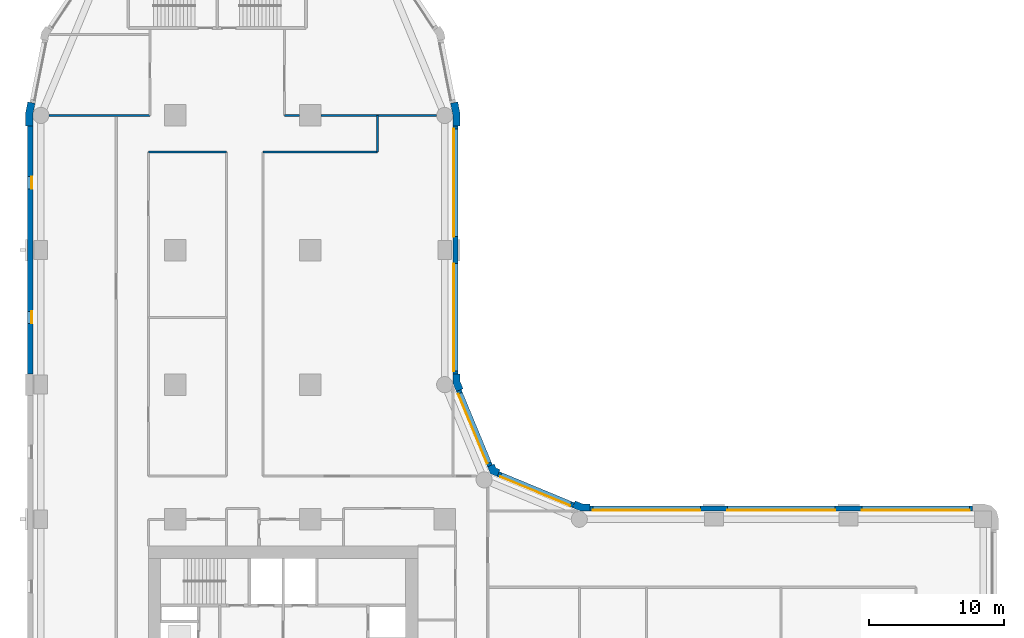
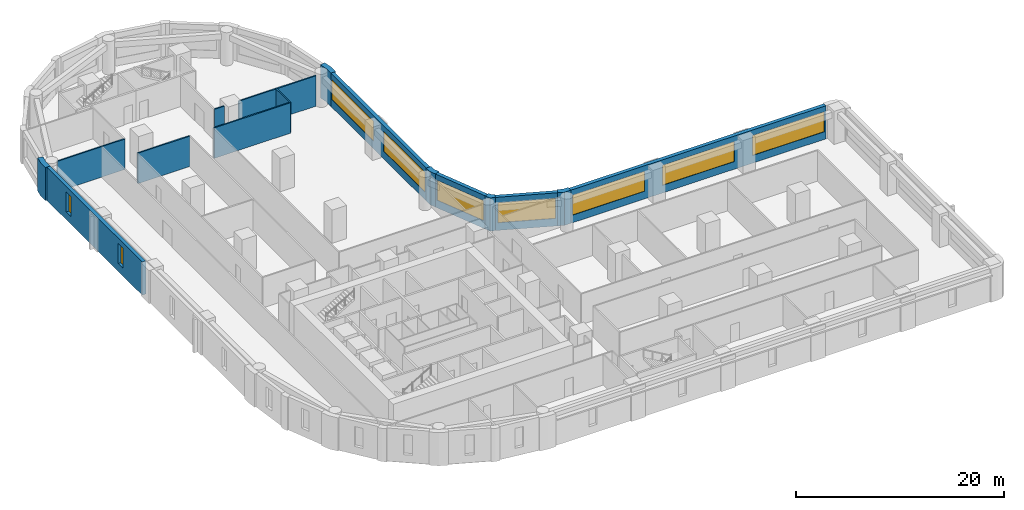
# One storey, part 6 of 11: 16 walls, 9 windows, 9 openings.
"""IFC4 building model written with IfcOpenShell, lengths in metres."""

from ifc_helpers import new_model, si_unit, direction, frame, frame_2d, origin, place, context, subcontext, project, spatial, polyline, rectangle, outline, extrude, material, layer, layer_set, type_object, element, fill, save


model = new_model("IFC4")

# Units and contexts
model_context = context("Model", 3, precision=1e-05, world=origin(), true_north=direction((0.0, 1.0)))
body_context = subcontext(model_context, "Body", "Model", "MODEL_VIEW")
ifc_project = project(units=[si_unit("LENGTHUNIT", "METRE"), si_unit("AREAUNIT", "SQUARE_METRE"), si_unit("VOLUMEUNIT", "CUBIC_METRE"), si_unit("PLANEANGLEUNIT", "RADIAN"), si_unit("MASSUNIT", "GRAM", prefix="KILO")], contexts=[model_context])

# Site, building, storey
site_placement = place(None, origin())
site = spatial("IfcSite", under=ifc_project, at=site_placement, CompositionType="ELEMENT")
building_placement = place(site_placement, origin())
building = spatial("IfcBuilding", under=site, at=building_placement, Name="Qaws Garden Tower", CompositionType="ELEMENT")
storey_placement = place(building_placement, frame((0.0, 0.0, 82.199951171875)))
storey = spatial("IfcBuildingStorey", under=building, at=storey_placement, Name="L20", CompositionType="ELEMENT", Elevation=82.199951171875)

# Wall, openings, windows
ifc_material_1 = material(Name="Buff clay facing brick masonry", Category="masonry")
ifc_layer_1 = layer(ifc_material_1, 0.39990234375)
ifc_layer_set_1 = layer_set([ifc_layer_1], Name="Buff clay facing brick masonry")
wall_type_1 = type_object("IfcWallType", Name="Buff brick infill wall 400", PredefinedType="SOLIDWALL", material=ifc_layer_set_1)
wall_1_placement = place(storey_placement, frame((69.199951171875, 30.800048828125, 0.0), z_axis=(0.0, 0.0, 1.0), x_axis=(-1.0, 0.0, 0.0)))
wall_1 = element("IfcWall", 1, at=wall_1_placement, inside=storey, type_object=wall_type_1, Name="E-L20-infill-08", PredefinedType="SOLIDWALL", context=body_context, shape_type="SweptSolid", body=[
    extrude(rectangle(XDim=28.39990234375, YDim=0.39990234375, at=frame_2d((14.199951171875, 0.0))), origin(), (0.0, 0.0, 1.0), 3.900146484375),
])
opening_1_placement = place(wall_1_placement, frame((0.199951171875, 0.0, 0.89990234375)))
opening_1 = element("IfcOpeningElement", 2, at=opening_1_placement, cuts=wall_1, Name="Opening W01", PredefinedType="OPENING", context=body_context, shape_type="SweptSolid", body=[
    extrude(rectangle(XDim=8.0, YDim=2.35009765625, at=frame_2d((4.0, 1.175048828125))), frame((0.0, 0.2099609375, 0.0), z_axis=(0.0, -1.0, 0.0), x_axis=(1.0, 0.0, 0.0)), (0.0, 0.0, 1.0), 0.419921875),
])
opening_2_placement = place(wall_1_placement, frame((10.199951171875, 0.0, 0.89990234375)))
opening_2 = element("IfcOpeningElement", 3, at=opening_2_placement, cuts=wall_1, Name="Opening W01", PredefinedType="OPENING", context=body_context, shape_type="SweptSolid", body=[
    extrude(rectangle(XDim=8.0, YDim=2.35009765625, at=frame_2d((4.0, 1.175048828125))), frame((0.0, 0.2099609375, 0.0), z_axis=(0.0, -1.0, 0.0), x_axis=(1.0, 0.0, 0.0)), (0.0, 0.0, 1.0), 0.419921875),
])
opening_3_placement = place(wall_1_placement, frame((20.199951171875, 0.0, 0.89990234375)))
opening_3 = element("IfcOpeningElement", 4, at=opening_3_placement, cuts=wall_1, Name="Opening W01", PredefinedType="OPENING", context=body_context, shape_type="SweptSolid", body=[
    extrude(rectangle(XDim=8.0, YDim=2.35009765625, at=frame_2d((4.0, 1.175048828125))), frame((0.0, 0.2099609375, 0.0), z_axis=(0.0, -1.0, 0.0), x_axis=(1.0, 0.0, 0.0)), (0.0, 0.0, 1.0), 0.419921875),
])
ifc_material_2 = material(Name="Aluminium framed window, clear glazing", Category="aluminium")
window_type_1 = type_object("IfcWindowType", Name="Ribbon window 8000 x 2350", PartitioningType="DOUBLE_PANEL_VERTICAL", PredefinedType="WINDOW", material=ifc_material_2)
window_1_placement = place(opening_1_placement, origin())
window_1 = element("IfcWindow", 5, at=window_1_placement, inside=storey, type_object=window_type_1, Name="E-L20-window-08-0", OverallHeight=2.35009765625, OverallWidth=8.0, PartitioningType="SINGLE_PANEL", PredefinedType="WINDOW", context=body_context, shape_type="SweptSolid", body=[
    extrude(rectangle(XDim=8.0, YDim=2.35009765625, at=frame_2d((4.0, 1.175048828125))), frame((0.0, 0.159912109375, 0.0), z_axis=(0.0, -1.0, 0.0), x_axis=(1.0, 0.0, 0.0)), (0.0, 0.0, 1.0), 0.06005859375),
])
fill(opening_1, window_1)
window_2_placement = place(opening_2_placement, origin())
window_2 = element("IfcWindow", 6, at=window_2_placement, inside=storey, type_object=window_type_1, Name="E-L20-window-09-0", OverallHeight=2.35009765625, OverallWidth=8.0, PartitioningType="SINGLE_PANEL", PredefinedType="WINDOW", context=body_context, shape_type="SweptSolid", body=[
    extrude(rectangle(XDim=8.0, YDim=2.35009765625, at=frame_2d((4.0, 1.175048828125))), frame((0.0, 0.159912109375, 0.0), z_axis=(0.0, -1.0, 0.0), x_axis=(1.0, 0.0, 0.0)), (0.0, 0.0, 1.0), 0.06005859375),
])
fill(opening_2, window_2)
window_3_placement = place(opening_3_placement, origin())
window_3 = element("IfcWindow", 7, at=window_3_placement, inside=storey, type_object=window_type_1, Name="E-L20-window-10-0", OverallHeight=2.35009765625, OverallWidth=8.0, PartitioningType="SINGLE_PANEL", PredefinedType="WINDOW", context=body_context, shape_type="SweptSolid", body=[
    extrude(rectangle(XDim=8.0, YDim=2.35009765625, at=frame_2d((4.0, 1.175048828125))), frame((0.0, 0.159912109375, 0.0), z_axis=(0.0, -1.0, 0.0), x_axis=(1.0, 0.0, 0.0)), (0.0, 0.0, 1.0), 0.06005859375),
])
fill(opening_3, window_3)

# Wall, opening, window
wall_2_placement = place(storey_placement, frame((39.56689453125, 31.04541015625, 0.0), z_axis=(0.0, 0.0, 1.0), x_axis=(-0.923891000409, 0.382655745237, 0.0)))
wall_2 = element("IfcWall", 8, at=wall_2_placement, inside=storey, type_object=wall_type_1, Name="E-L20-infill-11", PredefinedType="SOLIDWALL", context=body_context, shape_type="SweptSolid", body=[
    extrude(rectangle(XDim=6.053466796875, YDim=0.39990234375, at=frame_2d((3.02685546875, 0.0))), origin(), (0.0, 0.0, 1.0), 3.900146484375),
])
opening_4_placement = place(wall_2_placement, frame((0.226806640625, 0.0, 0.89990234375)))
opening_4 = element("IfcOpeningElement", 9, at=opening_4_placement, cuts=wall_2, Name="Opening W04", PredefinedType="OPENING", context=body_context, shape_type="SweptSolid", body=[
    extrude(rectangle(XDim=5.60009765625, YDim=2.35009765625, at=frame_2d((2.800048828125, 1.175048828125))), frame((0.0, 0.2099609375, 0.0), z_axis=(0.0, -1.0, 0.0), x_axis=(1.0, 0.0, 0.0)), (0.0, 0.0, 1.0), 0.419921875),
])
ifc_material_3 = material(Name="Aluminium framed window, clear glazing", Category="aluminium")
window_type_2 = type_object("IfcWindowType", Name="Ribbon window 5600 x 2350", PartitioningType="DOUBLE_PANEL_VERTICAL", PredefinedType="WINDOW", material=ifc_material_3)
window_4_placement = place(opening_4_placement, origin())
window_4 = element("IfcWindow", 10, at=window_4_placement, inside=storey, type_object=window_type_2, Name="E-L20-window-11-0", OverallHeight=2.35009765625, OverallWidth=5.60009765625, PartitioningType="SINGLE_PANEL", PredefinedType="WINDOW", context=body_context, shape_type="SweptSolid", body=[
    extrude(rectangle(XDim=5.60009765625, YDim=2.35009765625, at=frame_2d((2.800048828125, 1.175048828125))), frame((0.0, 0.159912109375, 0.0), z_axis=(0.0, -1.0, 0.0), x_axis=(1.0, 0.0, 0.0)), (0.0, 0.0, 1.0), 0.06005859375),
])
fill(opening_4, window_4)

wall_3_placement = place(storey_placement, frame((33.36181640625, 33.97412109375, 0.0), z_axis=(0.0, 0.0, 1.0), x_axis=(-0.382655745237, 0.923891000409, 0.0)))
wall_3 = element("IfcWall", 11, at=wall_3_placement, inside=storey, type_object=wall_type_1, Name="E-L20-infill-12", PredefinedType="SOLIDWALL", context=body_context, shape_type="SweptSolid", body=[
    extrude(rectangle(XDim=6.053466796875, YDim=0.39990234375, at=frame_2d((3.02685546875, 0.0))), origin(), (0.0, 0.0, 1.0), 3.900146484375),
])
opening_5_placement = place(wall_3_placement, frame((0.226806640625, 0.0, 0.89990234375)))
opening_5 = element("IfcOpeningElement", 12, at=opening_5_placement, cuts=wall_3, Name="Opening W04", PredefinedType="OPENING", context=body_context, shape_type="SweptSolid", body=[
    extrude(rectangle(XDim=5.60009765625, YDim=2.35009765625, at=frame_2d((2.800048828125, 1.175048828125))), frame((0.0, 0.2099609375, 0.0), z_axis=(0.0, -1.0, 0.0), x_axis=(1.0, 0.0, 0.0)), (0.0, 0.0, 1.0), 0.419921875),
])
window_5_placement = place(opening_5_placement, origin())
window_5 = element("IfcWindow", 13, at=window_5_placement, inside=storey, type_object=window_type_2, Name="E-L20-window-12-0", OverallHeight=2.35009765625, OverallWidth=5.60009765625, PartitioningType="SINGLE_PANEL", PredefinedType="WINDOW", context=body_context, shape_type="SweptSolid", body=[
    extrude(rectangle(XDim=5.60009765625, YDim=2.35009765625, at=frame_2d((2.800048828125, 1.175048828125))), frame((0.0, 0.159912109375, 0.0), z_axis=(0.0, -1.0, 0.0), x_axis=(1.0, 0.0, 0.0)), (0.0, 0.0, 1.0), 0.06005859375),
])
fill(opening_5, window_5)

# Wall, openings, windows
wall_4_placement = place(storey_placement, frame((30.800048828125, 40.800048828125, 0.0), z_axis=(0.0, 0.0, 1.0), x_axis=(0.0, 1.0, 0.0)))
wall_4 = element("IfcWall", 14, at=wall_4_placement, inside=storey, type_object=wall_type_1, Name="E-L20-infill-13", PredefinedType="SOLIDWALL", context=body_context, shape_type="SweptSolid", body=[
    extrude(rectangle(XDim=18.39990234375, YDim=0.39990234375, at=frame_2d((9.199951171875, 0.0))), origin(), (0.0, 0.0, 1.0), 3.900146484375),
])
opening_6_placement = place(wall_4_placement, frame((0.199951171875, 0.0, 0.89990234375)))
opening_6 = element("IfcOpeningElement", 15, at=opening_6_placement, cuts=wall_4, Name="Opening W01", PredefinedType="OPENING", context=body_context, shape_type="SweptSolid", body=[
    extrude(rectangle(XDim=8.0, YDim=2.35009765625, at=frame_2d((4.0, 1.175048828125))), frame((0.0, 0.2099609375, 0.0), z_axis=(0.0, -1.0, 0.0), x_axis=(1.0, 0.0, 0.0)), (0.0, 0.0, 1.0), 0.419921875),
])
opening_7_placement = place(wall_4_placement, frame((10.199951171875, 0.0, 0.89990234375)))
opening_7 = element("IfcOpeningElement", 16, at=opening_7_placement, cuts=wall_4, Name="Opening W01", PredefinedType="OPENING", context=body_context, shape_type="SweptSolid", body=[
    extrude(rectangle(XDim=8.0, YDim=2.35009765625, at=frame_2d((4.0, 1.175048828125))), frame((0.0, 0.2099609375, 0.0), z_axis=(0.0, -1.0, 0.0), x_axis=(1.0, 0.0, 0.0)), (0.0, 0.0, 1.0), 0.419921875),
])
window_6_placement = place(opening_6_placement, origin())
window_6 = element("IfcWindow", 17, at=window_6_placement, inside=storey, type_object=window_type_1, Name="E-L20-window-13-0", OverallHeight=2.35009765625, OverallWidth=8.0, PartitioningType="SINGLE_PANEL", PredefinedType="WINDOW", context=body_context, shape_type="SweptSolid", body=[
    extrude(rectangle(XDim=8.0, YDim=2.35009765625, at=frame_2d((4.0, 1.175048828125))), frame((0.0, 0.159912109375, 0.0), z_axis=(0.0, -1.0, 0.0), x_axis=(1.0, 0.0, 0.0)), (0.0, 0.0, 1.0), 0.06005859375),
])
fill(opening_6, window_6)
window_7_placement = place(opening_7_placement, origin())
window_7 = element("IfcWindow", 18, at=window_7_placement, inside=storey, type_object=window_type_1, Name="E-L20-window-14-0", OverallHeight=2.35009765625, OverallWidth=8.0, PartitioningType="SINGLE_PANEL", PredefinedType="WINDOW", context=body_context, shape_type="SweptSolid", body=[
    extrude(rectangle(XDim=8.0, YDim=2.35009765625, at=frame_2d((4.0, 1.175048828125))), frame((0.0, 0.159912109375, 0.0), z_axis=(0.0, -1.0, 0.0), x_axis=(1.0, 0.0, 0.0)), (0.0, 0.0, 1.0), 0.06005859375),
])
fill(opening_7, window_7)

wall_5_placement = place(storey_placement, frame((-0.800048828125, 59.199951171875, 0.0), z_axis=(0.0, 0.0, 1.0), x_axis=(0.0, -1.0, 0.0)))
wall_5 = element("IfcWall", 19, at=wall_5_placement, inside=storey, type_object=wall_type_1, Name="E-L20-infill-23", PredefinedType="SOLIDWALL", context=body_context, shape_type="SweptSolid", body=[
    extrude(rectangle(XDim=18.39990234375, YDim=0.39990234375, at=frame_2d((9.199951171875, 0.0))), origin(), (0.0, 0.0, 1.0), 3.900146484375),
])
opening_8_placement = place(wall_5_placement, frame((3.75, 0.0, 0.89990234375)))
opening_8 = element("IfcOpeningElement", 20, at=opening_8_placement, cuts=wall_5, Name="Opening W09", PredefinedType="OPENING", context=body_context, shape_type="SweptSolid", body=[
    extrude(rectangle(XDim=0.89990234375, YDim=2.35009765625, at=frame_2d((0.449951171875, 1.175048828125))), frame((0.0, 0.2099609375, 0.0), z_axis=(0.0, -1.0, 0.0), x_axis=(1.0, 0.0, 0.0)), (0.0, 0.0, 1.0), 0.419921875),
])
opening_9_placement = place(wall_5_placement, frame((13.75, 0.0, 0.89990234375)))
opening_9 = element("IfcOpeningElement", 21, at=opening_9_placement, cuts=wall_5, Name="Opening W09", PredefinedType="OPENING", context=body_context, shape_type="SweptSolid", body=[
    extrude(rectangle(XDim=0.89990234375, YDim=2.35009765625, at=frame_2d((0.449951171875, 1.175048828125))), frame((0.0, 0.2099609375, 0.0), z_axis=(0.0, -1.0, 0.0), x_axis=(1.0, 0.0, 0.0)), (0.0, 0.0, 1.0), 0.419921875),
])
ifc_material_4 = material(Name="Aluminium framed window, clear glazing", Category="aluminium")
window_type_3 = type_object("IfcWindowType", Name="Slit window 900 x 2350", PartitioningType="SINGLE_PANEL", PredefinedType="WINDOW", material=ifc_material_4)
window_8_placement = place(opening_8_placement, origin())
window_8 = element("IfcWindow", 22, at=window_8_placement, inside=storey, type_object=window_type_3, Name="E-L20-window-23-0", OverallHeight=2.35009765625, OverallWidth=0.89990234375, PartitioningType="SINGLE_PANEL", PredefinedType="WINDOW", context=body_context, shape_type="SweptSolid", body=[
    extrude(rectangle(XDim=0.89990234375, YDim=2.35009765625, at=frame_2d((0.449951171875, 1.175048828125))), frame((0.0, 0.159912109375, 0.0), z_axis=(0.0, -1.0, 0.0), x_axis=(1.0, 0.0, 0.0)), (0.0, 0.0, 1.0), 0.06005859375),
])
fill(opening_8, window_8)
window_9_placement = place(opening_9_placement, origin())
window_9 = element("IfcWindow", 23, at=window_9_placement, inside=storey, type_object=window_type_3, Name="E-L20-window-24-0", OverallHeight=2.35009765625, OverallWidth=0.89990234375, PartitioningType="SINGLE_PANEL", PredefinedType="WINDOW", context=body_context, shape_type="SweptSolid", body=[
    extrude(rectangle(XDim=0.89990234375, YDim=2.35009765625, at=frame_2d((0.449951171875, 1.175048828125))), frame((0.0, 0.159912109375, 0.0), z_axis=(0.0, -1.0, 0.0), x_axis=(1.0, 0.0, 0.0)), (0.0, 0.0, 1.0), 0.06005859375),
])
fill(opening_9, window_9)

# Walls
ifc_material_5 = material(Name="Buff clay facing brick masonry", Category="masonry")
ifc_layer_2 = layer(ifc_material_5, 0.550048828125)
ifc_layer_set_2 = layer_set([ifc_layer_2], Name="Buff clay facing brick masonry")
wall_type_2 = type_object("IfcWallType", Name="Buff brick pier 550 x 1600", PredefinedType="SOLIDWALL", material=ifc_layer_set_2)
placement = place(storey_placement, origin())
element("IfcWall", 24, at=placement, inside=storey, type_object=wall_type_2, Name="E-L20-pier-11", PredefinedType="SOLIDWALL", context=body_context, shape_type="SweptSolid", body=[
    extrude(outline(polyline([(40.800048828125, 31.0), (40.800048828125, 31.14990234375), (40.228759765625, 31.14990234375), (39.700927734375, 31.36865234375), (39.6435546875, 31.22998046875), (39.490478515625, 30.860595703125), (40.119384765625, 30.60009765625), (40.800048828125, 30.60009765625), (40.800048828125, 31.0)])), origin(), (0.0, 0.0, 1.0), 3.900146484375),
])
element("IfcWall", 25, at=placement, inside=storey, type_object=wall_type_2, Name="E-L20-pier-12", PredefinedType="SOLIDWALL", context=body_context, shape_type="SweptSolid", body=[
    extrude(outline(polyline([(34.05078125, 33.546630859375), (34.108154296875, 33.685302734375), (33.80908203125, 33.80908203125), (33.685302734375, 34.108154296875), (33.546630859375, 34.05078125), (33.177001953125, 33.897705078125), (33.38818359375, 33.38818359375), (33.897705078125, 33.177001953125), (34.05078125, 33.546630859375)])), origin(), (0.0, 0.0, 1.0), 3.900146484375),
])
element("IfcWall", 26, at=placement, inside=storey, type_object=wall_type_2, Name="E-L20-pier-13", PredefinedType="SOLIDWALL", context=body_context, shape_type="SweptSolid", body=[
    extrude(outline(polyline([(31.22998046875, 39.6435546875), (31.36865234375, 39.700927734375), (31.14990234375, 40.228759765625), (31.14990234375, 40.800048828125), (31.0, 40.800048828125), (30.60009765625, 40.800048828125), (30.60009765625, 40.119384765625), (30.860595703125, 39.490478515625), (31.22998046875, 39.6435546875)])), origin(), (0.0, 0.0, 1.0), 3.900146484375),
])
element("IfcWall", 27, at=placement, inside=storey, type_object=wall_type_2, Name="E-L20-pier-15", PredefinedType="SOLIDWALL", context=body_context, shape_type="SweptSolid", body=[
    extrude(outline(polyline([(31.0, 59.199951171875), (31.14990234375, 59.199951171875), (31.14990234375, 60.11328125), (30.971923828125, 61.009033203125), (30.82470703125, 60.979736328125), (30.432373046875, 60.901611328125), (30.60009765625, 60.05908203125), (30.60009765625, 59.199951171875), (31.0, 59.199951171875)])), origin(), (0.0, 0.0, 1.0), 3.900146484375),
])
element("IfcWall", 28, at=placement, inside=storey, type_object=wall_type_2, Name="E-L20-pier-23", PredefinedType="SOLIDWALL", context=body_context, shape_type="SweptSolid", body=[
    extrude(outline(polyline([(-0.82470703125, 60.979736328125), (-0.971923828125, 61.009033203125), (-1.14990234375, 60.11328125), (-1.14990234375, 59.199951171875), (-1.0, 59.199951171875), (-0.60009765625, 59.199951171875), (-0.60009765625, 60.05908203125), (-0.432373046875, 60.901611328125), (-0.82470703125, 60.979736328125)])), origin(), (0.0, 0.0, 1.0), 3.900146484375),
])
ifc_material_6 = material(Name="Gypsum board partition")
ifc_layer_3 = layer(ifc_material_6, 0.14990234375)
ifc_layer_set_3 = layer_set([ifc_layer_3], Name="Gypsum board partition")
wall_type_3 = type_object("IfcWallType", Name="PARTITION 150 EI 60", PredefinedType="PARTITIONING", material=ifc_layer_set_3)
wall_11_placement = place(storey_placement, frame((25.0, 57.300048828125, 0.0), z_axis=(0.0, 0.0, 1.0), x_axis=(0.0, 1.0, 0.0)))
element("IfcWall", 29, at=wall_11_placement, inside=storey, type_object=wall_type_3, Name="O-L20-wall-013", PredefinedType="PARTITIONING", context=body_context, shape_type="SweptSolid", body=[
    extrude(rectangle(XDim=2.699951171875, YDim=0.14990234375, at=frame_2d((1.35009765625, 0.0))), origin(), (0.0, 0.0, 1.0), 3.580078125),
])
wall_12_placement = place(storey_placement, frame((8.0, 57.300048828125, 0.0), z_axis=(0.0, 0.0, 1.0), x_axis=(1.0, 0.0, 0.0)))
element("IfcWall", 30, at=wall_12_placement, inside=storey, type_object=wall_type_3, Name="O-L20-wall-054", PredefinedType="PARTITIONING", context=body_context, shape_type="SweptSolid", body=[
    extrude(rectangle(XDim=5.800048828125, YDim=0.14990234375, at=frame_2d((2.89990234375, 0.0))), origin(), (0.0, 0.0, 1.0), 3.580078125),
])
wall_13_placement = place(storey_placement, frame((16.5, 57.300048828125, 0.0), z_axis=(0.0, 0.0, 1.0), x_axis=(1.0, 0.0, 0.0)))
element("IfcWall", 31, at=wall_13_placement, inside=storey, type_object=wall_type_3, Name="O-L20-wall-055", PredefinedType="PARTITIONING", context=body_context, shape_type="SweptSolid", body=[
    extrude(rectangle(XDim=8.5, YDim=0.14990234375, at=frame_2d((4.25, 0.0))), origin(), (0.0, 0.0, 1.0), 3.580078125),
])
wall_14_placement = place(storey_placement, frame((0.60009765625, 60.0, 0.0), z_axis=(0.0, 0.0, 1.0), x_axis=(1.0, 0.0, 0.0)))
element("IfcWall", 32, at=wall_14_placement, inside=storey, type_object=wall_type_3, Name="O-L20-wall-056", PredefinedType="PARTITIONING", context=body_context, shape_type="SweptSolid", body=[
    extrude(rectangle(XDim=7.5, YDim=0.14990234375, at=frame_2d((3.75, 0.0))), origin(), (0.0, 0.0, 1.0), 3.580078125),
])
wall_15_placement = place(storey_placement, frame((18.10009765625, 60.0, 0.0), z_axis=(0.0, 0.0, 1.0), x_axis=(1.0, 0.0, 0.0)))
element("IfcWall", 33, at=wall_15_placement, inside=storey, type_object=wall_type_3, Name="O-L20-wall-057", PredefinedType="PARTITIONING", context=body_context, shape_type="SweptSolid", body=[
    extrude(rectangle(XDim=1.099853515625, YDim=0.14990234375, at=frame_2d((0.5498046875, 0.0))), origin(), (0.0, 0.0, 1.0), 3.580078125),
])
wall_16_placement = place(storey_placement, frame((20.800048828125, 60.0, 0.0), z_axis=(0.0, 0.0, 1.0), x_axis=(1.0, 0.0, 0.0)))
element("IfcWall", 34, at=wall_16_placement, inside=storey, type_object=wall_type_3, Name="O-L20-wall-058", PredefinedType="PARTITIONING", context=body_context, shape_type="SweptSolid", body=[
    extrude(rectangle(XDim=8.599853515625, YDim=0.14990234375, at=frame_2d((4.2998046875, 0.0))), origin(), (0.0, 0.0, 1.0), 3.580078125),
])

save(model, "model.ifc")
